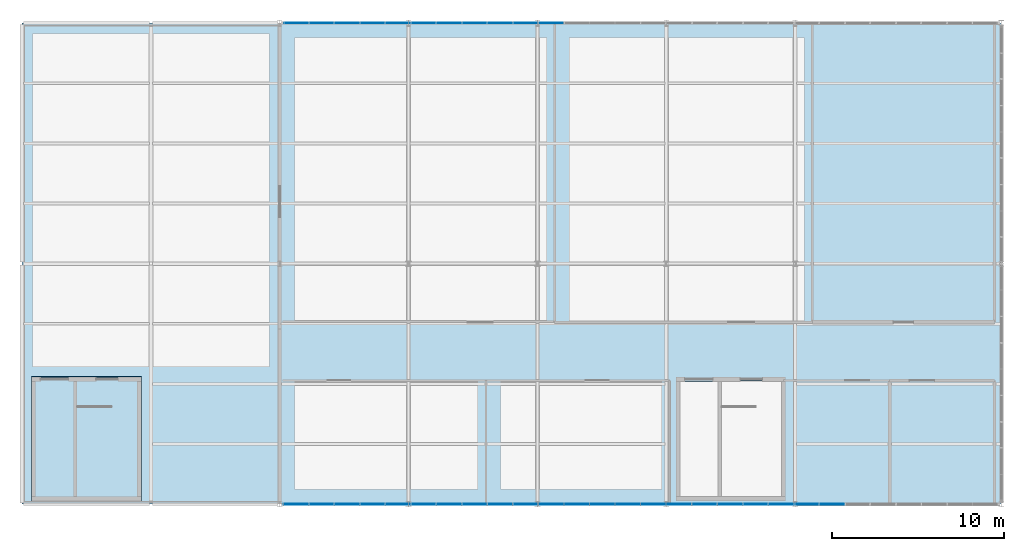
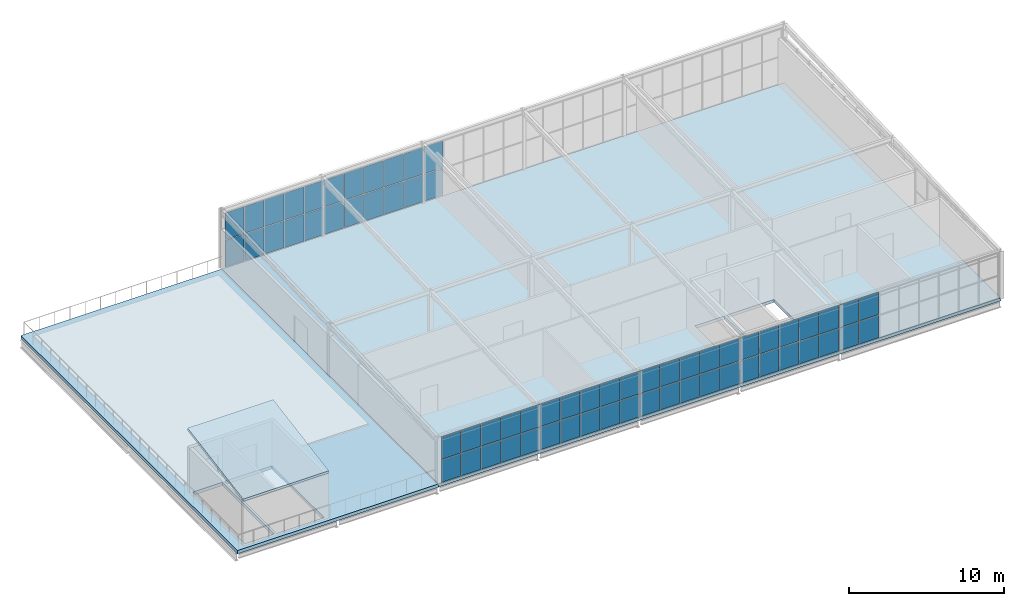
# One storey, part 23 of 27: 66 plates, 3 slabs, 2 elements without a shape of their own.
"""IFC4 building model written with IfcOpenShell, lengths in metres."""

from ifc_helpers import new_model, si_unit, direction, frame, origin, origin_2d, place, context, subcontext, project, spatial, polyline, rectangle, outline, extrude, material, layer, layer_set, type_object, element, aggregate, save


model = new_model("IFC4")

# Units and contexts
model_context = context("Model", 3, precision=1e-05, world=origin(), true_north=direction((0.0, 1.0)))
body_context = subcontext(model_context, "Body", "Model", "MODEL_VIEW")
ifc_project = project(units=[si_unit("LENGTHUNIT", "METRE"), si_unit("AREAUNIT", "SQUARE_METRE"), si_unit("VOLUMEUNIT", "CUBIC_METRE"), si_unit("PLANEANGLEUNIT", "RADIAN"), si_unit("MASSUNIT", "GRAM", prefix="KILO")], contexts=[model_context])

# Site, building, storey
site_placement = place(None, origin())
site = spatial("IfcSite", under=ifc_project, at=site_placement, CompositionType="ELEMENT")
building_placement = place(site_placement, origin())
building = spatial("IfcBuilding", under=site, at=building_placement, Name="Solvenia Promenade Tram Depot", CompositionType="ELEMENT")
storey_placement = place(building_placement, frame((0.0, 0.0, 13.5)))
storey = spatial("IfcBuildingStorey", under=building, at=storey_placement, Name="L03", CompositionType="ELEMENT", Elevation=13.5)

# Curtain wall, plates
ifc_material_1 = material(Name="Anodized aluminium AW-6063 T6", Category="aluminium")
ifc_layer_1 = layer(ifc_material_1, 0.199951171875, Name="Anodized aluminium AW-6063 T6", Category="aluminium")
ifc_layer_set_1 = layer_set([ifc_layer_1], Name="Anodized aluminium AW-6063 T6")
curtain_wall_type = type_object("IfcCurtainWallType", Name="CW-OCC-1500", PredefinedType="NOTDEFINED", material=ifc_layer_set_1)
curtain_wall_1_placement = place(storey_placement, origin())
curtain_wall_1 = element("IfcCurtainWall", 1, at=curtain_wall_1_placement, inside=storey, type_object=curtain_wall_type, Name="Curtain Wall CW-L03-V2N", PredefinedType="NOTDEFINED")
ifc_material_2 = material(Name="Double low-e argon insulated glass", Category="glass")
ifc_layer_2 = layer(ifc_material_2, 0.031982421875, Name="Double low-e argon insulated glass", Category="glass")
ifc_layer_set_2 = layer_set([ifc_layer_2], Name="Double low-e argon insulated glass")
plate_type_1 = type_object("IfcPlateType", Name="CWP-Panel-2", PredefinedType="CURTAIN_PANEL", material=ifc_layer_set_2)
plate_1_placement = place(storey_placement, frame((120.95654296875, 66.0, 0.05517578125), z_axis=(0.0, 0.0, 1.0), x_axis=(1.0, 0.0, 0.0)))
plate_1 = element("IfcPlate", 2, at=plate_1_placement, type_object=plate_type_1, Name="CW-8 panel 1.1", PredefinedType="CURTAIN_PANEL", context=body_context, shape_type="SweptSolid", body=[
    extrude(rectangle(XDim=1.4033203125, YDim=0.031982421875, at=origin_2d()), origin(), (0.0, 0.0, 1.0), 2.117431640625),
])
plate_2_placement = place(storey_placement, frame((120.95654296875, 66.0, 2.2275390625), z_axis=(0.0, 0.0, 1.0), x_axis=(1.0, 0.0, 0.0)))
plate_2 = element("IfcPlate", 3, at=plate_2_placement, type_object=plate_type_1, Name="CW-8 panel 1.2", PredefinedType="CURTAIN_PANEL", context=body_context, shape_type="SweptSolid", body=[
    extrude(rectangle(XDim=1.4033203125, YDim=0.031982421875, at=origin_2d()), origin(), (0.0, 0.0, 1.0), 2.117431640625),
])
plate_3_placement = place(storey_placement, frame((122.428466796875, 66.0, 0.05517578125), z_axis=(0.0, 0.0, 1.0), x_axis=(1.0, 0.0, 0.0)))
plate_3 = element("IfcPlate", 4, at=plate_3_placement, type_object=plate_type_1, Name="CW-8 panel 2.1", PredefinedType="CURTAIN_PANEL", context=body_context, shape_type="SweptSolid", body=[
    extrude(rectangle(XDim=1.4306640625, YDim=0.031982421875, at=origin_2d()), origin(), (0.0, 0.0, 1.0), 2.117431640625),
])
plate_4_placement = place(storey_placement, frame((122.428466796875, 66.0, 2.2275390625), z_axis=(0.0, 0.0, 1.0), x_axis=(1.0, 0.0, 0.0)))
plate_4 = element("IfcPlate", 5, at=plate_4_placement, type_object=plate_type_1, Name="CW-8 panel 2.2", PredefinedType="CURTAIN_PANEL", context=body_context, shape_type="SweptSolid", body=[
    extrude(rectangle(XDim=1.4306640625, YDim=0.031982421875, at=origin_2d()), origin(), (0.0, 0.0, 1.0), 2.117431640625),
])
plate_5_placement = place(storey_placement, frame((123.914306640625, 66.0, 0.05517578125), z_axis=(0.0, 0.0, 1.0), x_axis=(1.0, 0.0, 0.0)))
plate_5 = element("IfcPlate", 6, at=plate_5_placement, type_object=plate_type_1, Name="CW-8 panel 3.1", PredefinedType="CURTAIN_PANEL", context=body_context, shape_type="SweptSolid", body=[
    extrude(rectangle(XDim=1.4306640625, YDim=0.031982421875, at=origin_2d()), origin(), (0.0, 0.0, 1.0), 2.117431640625),
])
plate_6_placement = place(storey_placement, frame((123.914306640625, 66.0, 2.2275390625), z_axis=(0.0, 0.0, 1.0), x_axis=(1.0, 0.0, 0.0)))
plate_6 = element("IfcPlate", 7, at=plate_6_placement, type_object=plate_type_1, Name="CW-8 panel 3.2", PredefinedType="CURTAIN_PANEL", context=body_context, shape_type="SweptSolid", body=[
    extrude(rectangle(XDim=1.4306640625, YDim=0.031982421875, at=origin_2d()), origin(), (0.0, 0.0, 1.0), 2.117431640625),
])
plate_7_placement = place(storey_placement, frame((125.39990234375, 66.0, 0.05517578125), z_axis=(0.0, 0.0, 1.0), x_axis=(1.0, 0.0, 0.0)))
plate_7 = element("IfcPlate", 8, at=plate_7_placement, type_object=plate_type_1, Name="CW-8 panel 4.1", PredefinedType="CURTAIN_PANEL", context=body_context, shape_type="SweptSolid", body=[
    extrude(rectangle(XDim=1.4306640625, YDim=0.031982421875, at=origin_2d()), origin(), (0.0, 0.0, 1.0), 2.117431640625),
])
plate_8_placement = place(storey_placement, frame((125.39990234375, 66.0, 2.2275390625), z_axis=(0.0, 0.0, 1.0), x_axis=(1.0, 0.0, 0.0)))
plate_8 = element("IfcPlate", 9, at=plate_8_placement, type_object=plate_type_1, Name="CW-8 panel 4.2", PredefinedType="CURTAIN_PANEL", context=body_context, shape_type="SweptSolid", body=[
    extrude(rectangle(XDim=1.4306640625, YDim=0.031982421875, at=origin_2d()), origin(), (0.0, 0.0, 1.0), 2.117431640625),
])
plate_9_placement = place(storey_placement, frame((126.8857421875, 66.0, 0.05517578125), z_axis=(0.0, 0.0, 1.0), x_axis=(1.0, 0.0, 0.0)))
plate_9 = element("IfcPlate", 10, at=plate_9_placement, type_object=plate_type_1, Name="CW-8 panel 5.1", PredefinedType="CURTAIN_PANEL", context=body_context, shape_type="SweptSolid", body=[
    extrude(rectangle(XDim=1.4306640625, YDim=0.031982421875, at=origin_2d()), origin(), (0.0, 0.0, 1.0), 2.117431640625),
])
plate_10_placement = place(storey_placement, frame((126.8857421875, 66.0, 2.2275390625), z_axis=(0.0, 0.0, 1.0), x_axis=(1.0, 0.0, 0.0)))
plate_10 = element("IfcPlate", 11, at=plate_10_placement, type_object=plate_type_1, Name="CW-8 panel 5.2", PredefinedType="CURTAIN_PANEL", context=body_context, shape_type="SweptSolid", body=[
    extrude(rectangle(XDim=1.4306640625, YDim=0.031982421875, at=origin_2d()), origin(), (0.0, 0.0, 1.0), 2.117431640625),
])
plate_11_placement = place(storey_placement, frame((128.371337890625, 66.0, 0.05517578125), z_axis=(0.0, 0.0, 1.0), x_axis=(1.0, 0.0, 0.0)))
plate_11 = element("IfcPlate", 12, at=plate_11_placement, type_object=plate_type_1, Name="CW-8 panel 6.1", PredefinedType="CURTAIN_PANEL", context=body_context, shape_type="SweptSolid", body=[
    extrude(rectangle(XDim=1.4306640625, YDim=0.031982421875, at=origin_2d()), origin(), (0.0, 0.0, 1.0), 2.117431640625),
])
plate_12_placement = place(storey_placement, frame((128.371337890625, 66.0, 2.2275390625), z_axis=(0.0, 0.0, 1.0), x_axis=(1.0, 0.0, 0.0)))
plate_12 = element("IfcPlate", 13, at=plate_12_placement, type_object=plate_type_1, Name="CW-8 panel 6.2", PredefinedType="CURTAIN_PANEL", context=body_context, shape_type="SweptSolid", body=[
    extrude(rectangle(XDim=1.4306640625, YDim=0.031982421875, at=origin_2d()), origin(), (0.0, 0.0, 1.0), 2.117431640625),
])
plate_13_placement = place(storey_placement, frame((129.857177734375, 66.0, 0.05517578125), z_axis=(0.0, 0.0, 1.0), x_axis=(1.0, 0.0, 0.0)))
plate_13 = element("IfcPlate", 14, at=plate_13_placement, type_object=plate_type_1, Name="CW-8 panel 7.1", PredefinedType="CURTAIN_PANEL", context=body_context, shape_type="SweptSolid", body=[
    extrude(rectangle(XDim=1.4306640625, YDim=0.031982421875, at=origin_2d()), origin(), (0.0, 0.0, 1.0), 2.117431640625),
])
plate_14_placement = place(storey_placement, frame((129.857177734375, 66.0, 2.2275390625), z_axis=(0.0, 0.0, 1.0), x_axis=(1.0, 0.0, 0.0)))
plate_14 = element("IfcPlate", 15, at=plate_14_placement, type_object=plate_type_1, Name="CW-8 panel 7.2", PredefinedType="CURTAIN_PANEL", context=body_context, shape_type="SweptSolid", body=[
    extrude(rectangle(XDim=1.4306640625, YDim=0.031982421875, at=origin_2d()), origin(), (0.0, 0.0, 1.0), 2.117431640625),
])
plate_15_placement = place(storey_placement, frame((131.3427734375, 66.0, 0.05517578125), z_axis=(0.0, 0.0, 1.0), x_axis=(1.0, 0.0, 0.0)))
plate_15 = element("IfcPlate", 16, at=plate_15_placement, type_object=plate_type_1, Name="CW-8 panel 8.1", PredefinedType="CURTAIN_PANEL", context=body_context, shape_type="SweptSolid", body=[
    extrude(rectangle(XDim=1.4306640625, YDim=0.031982421875, at=origin_2d()), origin(), (0.0, 0.0, 1.0), 2.117431640625),
])
plate_16_placement = place(storey_placement, frame((131.3427734375, 66.0, 2.2275390625), z_axis=(0.0, 0.0, 1.0), x_axis=(1.0, 0.0, 0.0)))
plate_16 = element("IfcPlate", 17, at=plate_16_placement, type_object=plate_type_1, Name="CW-8 panel 8.2", PredefinedType="CURTAIN_PANEL", context=body_context, shape_type="SweptSolid", body=[
    extrude(rectangle(XDim=1.4306640625, YDim=0.031982421875, at=origin_2d()), origin(), (0.0, 0.0, 1.0), 2.117431640625),
])
plate_17_placement = place(storey_placement, frame((132.82861328125, 66.0, 0.05517578125), z_axis=(0.0, 0.0, 1.0), x_axis=(1.0, 0.0, 0.0)))
plate_17 = element("IfcPlate", 18, at=plate_17_placement, type_object=plate_type_1, Name="CW-8 panel 9.1", PredefinedType="CURTAIN_PANEL", context=body_context, shape_type="SweptSolid", body=[
    extrude(rectangle(XDim=1.4306640625, YDim=0.031982421875, at=origin_2d()), origin(), (0.0, 0.0, 1.0), 2.117431640625),
])
plate_18_placement = place(storey_placement, frame((132.82861328125, 66.0, 2.2275390625), z_axis=(0.0, 0.0, 1.0), x_axis=(1.0, 0.0, 0.0)))
plate_18 = element("IfcPlate", 19, at=plate_18_placement, type_object=plate_type_1, Name="CW-8 panel 9.2", PredefinedType="CURTAIN_PANEL", context=body_context, shape_type="SweptSolid", body=[
    extrude(rectangle(XDim=1.4306640625, YDim=0.031982421875, at=origin_2d()), origin(), (0.0, 0.0, 1.0), 2.117431640625),
])
plate_19_placement = place(storey_placement, frame((134.314208984375, 66.0, 0.05517578125), z_axis=(0.0, 0.0, 1.0), x_axis=(1.0, 0.0, 0.0)))
plate_19 = element("IfcPlate", 20, at=plate_19_placement, type_object=plate_type_1, Name="CW-8 panel 10.1", PredefinedType="CURTAIN_PANEL", context=body_context, shape_type="SweptSolid", body=[
    extrude(rectangle(XDim=1.4306640625, YDim=0.031982421875, at=origin_2d()), origin(), (0.0, 0.0, 1.0), 2.117431640625),
])
plate_20_placement = place(storey_placement, frame((134.314208984375, 66.0, 2.2275390625), z_axis=(0.0, 0.0, 1.0), x_axis=(1.0, 0.0, 0.0)))
plate_20 = element("IfcPlate", 21, at=plate_20_placement, type_object=plate_type_1, Name="CW-8 panel 10.2", PredefinedType="CURTAIN_PANEL", context=body_context, shape_type="SweptSolid", body=[
    extrude(rectangle(XDim=1.4306640625, YDim=0.031982421875, at=origin_2d()), origin(), (0.0, 0.0, 1.0), 2.117431640625),
])
plate_21_placement = place(storey_placement, frame((135.800048828125, 66.0, 0.05517578125), z_axis=(0.0, 0.0, 1.0), x_axis=(1.0, 0.0, 0.0)))
plate_21 = element("IfcPlate", 22, at=plate_21_placement, type_object=plate_type_1, Name="CW-8 panel 11.1", PredefinedType="CURTAIN_PANEL", context=body_context, shape_type="SweptSolid", body=[
    extrude(rectangle(XDim=1.4306640625, YDim=0.031982421875, at=origin_2d()), origin(), (0.0, 0.0, 1.0), 2.117431640625),
])
plate_22_placement = place(storey_placement, frame((135.800048828125, 66.0, 2.2275390625), z_axis=(0.0, 0.0, 1.0), x_axis=(1.0, 0.0, 0.0)))
plate_22 = element("IfcPlate", 23, at=plate_22_placement, type_object=plate_type_1, Name="CW-8 panel 11.2", PredefinedType="CURTAIN_PANEL", context=body_context, shape_type="SweptSolid", body=[
    extrude(rectangle(XDim=1.4306640625, YDim=0.031982421875, at=origin_2d()), origin(), (0.0, 0.0, 1.0), 2.117431640625),
])
aggregate(curtain_wall_1, [plate_1, plate_2, plate_3, plate_4, plate_5, plate_6, plate_7, plate_8, plate_9, plate_10, plate_11, plate_12, plate_13, plate_14, plate_15, plate_16, plate_17, plate_18, plate_19, plate_20, plate_21, plate_22])

curtain_wall_2_placement = place(storey_placement, origin())
curtain_wall_2 = element("IfcCurtainWall", 24, at=curtain_wall_2_placement, inside=storey, type_object=curtain_wall_type, Name="Curtain Wall CW-L03-V2S", PredefinedType="NOTDEFINED")
ifc_layer_3 = layer(ifc_material_2, 0.035888671875, Name="Double low-e argon insulated glass", Category="glass")
ifc_layer_set_3 = layer_set([ifc_layer_3], Name="Double low-e argon insulated glass")
plate_type_2 = type_object("IfcPlateType", Name="CWP-Panel-3", PredefinedType="CURTAIN_PANEL", material=ifc_layer_set_3)
plate_23_placement = place(storey_placement, frame((120.954833984375, 38.0, 0.05810546875), z_axis=(0.0, 0.0, 1.0), x_axis=(1.0, 0.0, 0.0)))
plate_23 = element("IfcPlate", 25, at=plate_23_placement, type_object=plate_type_2, Name="CW-8 panel 1.1", PredefinedType="CURTAIN_PANEL", context=body_context, shape_type="SweptSolid", body=[
    extrude(rectangle(XDim=1.413818359375, YDim=0.035888671875, at=origin_2d()), origin(), (0.0, 0.0, 1.0), 1.762939453125),
])
plate_24_placement = place(storey_placement, frame((120.954833984375, 38.0, 1.87890625), z_axis=(0.0, 0.0, 1.0), x_axis=(1.0, 0.0, 0.0)))
plate_24 = element("IfcPlate", 26, at=plate_24_placement, type_object=plate_type_2, Name="CW-8 panel 1.2", PredefinedType="CURTAIN_PANEL", context=body_context, shape_type="SweptSolid", body=[
    extrude(rectangle(XDim=1.413818359375, YDim=0.035888671875, at=origin_2d()), origin(), (0.0, 0.0, 1.0), 1.762939453125),
])
plate_25_placement = place(storey_placement, frame((122.428466796875, 38.0, 0.05810546875), z_axis=(0.0, 0.0, 1.0), x_axis=(1.0, 0.0, 0.0)))
plate_25 = element("IfcPlate", 27, at=plate_25_placement, type_object=plate_type_2, Name="CW-8 panel 2.1", PredefinedType="CURTAIN_PANEL", context=body_context, shape_type="SweptSolid", body=[
    extrude(rectangle(XDim=1.437744140625, YDim=0.035888671875, at=origin_2d()), origin(), (0.0, 0.0, 1.0), 1.762939453125),
])
plate_26_placement = place(storey_placement, frame((122.428466796875, 38.0, 1.87890625), z_axis=(0.0, 0.0, 1.0), x_axis=(1.0, 0.0, 0.0)))
plate_26 = element("IfcPlate", 28, at=plate_26_placement, type_object=plate_type_2, Name="CW-8 panel 2.2", PredefinedType="CURTAIN_PANEL", context=body_context, shape_type="SweptSolid", body=[
    extrude(rectangle(XDim=1.437744140625, YDim=0.035888671875, at=origin_2d()), origin(), (0.0, 0.0, 1.0), 1.762939453125),
])
plate_27_placement = place(storey_placement, frame((123.914306640625, 38.0, 0.05810546875), z_axis=(0.0, 0.0, 1.0), x_axis=(1.0, 0.0, 0.0)))
plate_27 = element("IfcPlate", 29, at=plate_27_placement, type_object=plate_type_2, Name="CW-8 panel 3.1", PredefinedType="CURTAIN_PANEL", context=body_context, shape_type="SweptSolid", body=[
    extrude(rectangle(XDim=1.437744140625, YDim=0.035888671875, at=origin_2d()), origin(), (0.0, 0.0, 1.0), 1.762939453125),
])
plate_28_placement = place(storey_placement, frame((123.914306640625, 38.0, 1.87890625), z_axis=(0.0, 0.0, 1.0), x_axis=(1.0, 0.0, 0.0)))
plate_28 = element("IfcPlate", 30, at=plate_28_placement, type_object=plate_type_2, Name="CW-8 panel 3.2", PredefinedType="CURTAIN_PANEL", context=body_context, shape_type="SweptSolid", body=[
    extrude(rectangle(XDim=1.437744140625, YDim=0.035888671875, at=origin_2d()), origin(), (0.0, 0.0, 1.0), 1.762939453125),
])
plate_29_placement = place(storey_placement, frame((125.39990234375, 38.0, 0.05810546875), z_axis=(0.0, 0.0, 1.0), x_axis=(1.0, 0.0, 0.0)))
plate_29 = element("IfcPlate", 31, at=plate_29_placement, type_object=plate_type_2, Name="CW-8 panel 4.1", PredefinedType="CURTAIN_PANEL", context=body_context, shape_type="SweptSolid", body=[
    extrude(rectangle(XDim=1.437744140625, YDim=0.035888671875, at=origin_2d()), origin(), (0.0, 0.0, 1.0), 1.762939453125),
])
plate_30_placement = place(storey_placement, frame((125.39990234375, 38.0, 1.87890625), z_axis=(0.0, 0.0, 1.0), x_axis=(1.0, 0.0, 0.0)))
plate_30 = element("IfcPlate", 32, at=plate_30_placement, type_object=plate_type_2, Name="CW-8 panel 4.2", PredefinedType="CURTAIN_PANEL", context=body_context, shape_type="SweptSolid", body=[
    extrude(rectangle(XDim=1.437744140625, YDim=0.035888671875, at=origin_2d()), origin(), (0.0, 0.0, 1.0), 1.762939453125),
])
plate_31_placement = place(storey_placement, frame((126.8857421875, 38.0, 0.05810546875), z_axis=(0.0, 0.0, 1.0), x_axis=(1.0, 0.0, 0.0)))
plate_31 = element("IfcPlate", 33, at=plate_31_placement, type_object=plate_type_2, Name="CW-8 panel 5.1", PredefinedType="CURTAIN_PANEL", context=body_context, shape_type="SweptSolid", body=[
    extrude(rectangle(XDim=1.437744140625, YDim=0.035888671875, at=origin_2d()), origin(), (0.0, 0.0, 1.0), 1.762939453125),
])
plate_32_placement = place(storey_placement, frame((126.8857421875, 38.0, 1.87890625), z_axis=(0.0, 0.0, 1.0), x_axis=(1.0, 0.0, 0.0)))
plate_32 = element("IfcPlate", 34, at=plate_32_placement, type_object=plate_type_2, Name="CW-8 panel 5.2", PredefinedType="CURTAIN_PANEL", context=body_context, shape_type="SweptSolid", body=[
    extrude(rectangle(XDim=1.437744140625, YDim=0.035888671875, at=origin_2d()), origin(), (0.0, 0.0, 1.0), 1.762939453125),
])
plate_33_placement = place(storey_placement, frame((128.371337890625, 38.0, 0.05810546875), z_axis=(0.0, 0.0, 1.0), x_axis=(1.0, 0.0, 0.0)))
plate_33 = element("IfcPlate", 35, at=plate_33_placement, type_object=plate_type_2, Name="CW-8 panel 6.1", PredefinedType="CURTAIN_PANEL", context=body_context, shape_type="SweptSolid", body=[
    extrude(rectangle(XDim=1.437744140625, YDim=0.035888671875, at=origin_2d()), origin(), (0.0, 0.0, 1.0), 1.762939453125),
])
plate_34_placement = place(storey_placement, frame((128.371337890625, 38.0, 1.87890625), z_axis=(0.0, 0.0, 1.0), x_axis=(1.0, 0.0, 0.0)))
plate_34 = element("IfcPlate", 36, at=plate_34_placement, type_object=plate_type_2, Name="CW-8 panel 6.2", PredefinedType="CURTAIN_PANEL", context=body_context, shape_type="SweptSolid", body=[
    extrude(rectangle(XDim=1.437744140625, YDim=0.035888671875, at=origin_2d()), origin(), (0.0, 0.0, 1.0), 1.762939453125),
])
plate_35_placement = place(storey_placement, frame((129.857177734375, 38.0, 0.05810546875), z_axis=(0.0, 0.0, 1.0), x_axis=(1.0, 0.0, 0.0)))
plate_35 = element("IfcPlate", 37, at=plate_35_placement, type_object=plate_type_2, Name="CW-8 panel 7.1", PredefinedType="CURTAIN_PANEL", context=body_context, shape_type="SweptSolid", body=[
    extrude(rectangle(XDim=1.437744140625, YDim=0.035888671875, at=origin_2d()), origin(), (0.0, 0.0, 1.0), 1.762939453125),
])
plate_36_placement = place(storey_placement, frame((129.857177734375, 38.0, 1.87890625), z_axis=(0.0, 0.0, 1.0), x_axis=(1.0, 0.0, 0.0)))
plate_36 = element("IfcPlate", 38, at=plate_36_placement, type_object=plate_type_2, Name="CW-8 panel 7.2", PredefinedType="CURTAIN_PANEL", context=body_context, shape_type="SweptSolid", body=[
    extrude(rectangle(XDim=1.437744140625, YDim=0.035888671875, at=origin_2d()), origin(), (0.0, 0.0, 1.0), 1.762939453125),
])
plate_37_placement = place(storey_placement, frame((131.3427734375, 38.0, 0.05810546875), z_axis=(0.0, 0.0, 1.0), x_axis=(1.0, 0.0, 0.0)))
plate_37 = element("IfcPlate", 39, at=plate_37_placement, type_object=plate_type_2, Name="CW-8 panel 8.1", PredefinedType="CURTAIN_PANEL", context=body_context, shape_type="SweptSolid", body=[
    extrude(rectangle(XDim=1.437744140625, YDim=0.035888671875, at=origin_2d()), origin(), (0.0, 0.0, 1.0), 1.762939453125),
])
plate_38_placement = place(storey_placement, frame((131.3427734375, 38.0, 1.87890625), z_axis=(0.0, 0.0, 1.0), x_axis=(1.0, 0.0, 0.0)))
plate_38 = element("IfcPlate", 40, at=plate_38_placement, type_object=plate_type_2, Name="CW-8 panel 8.2", PredefinedType="CURTAIN_PANEL", context=body_context, shape_type="SweptSolid", body=[
    extrude(rectangle(XDim=1.437744140625, YDim=0.035888671875, at=origin_2d()), origin(), (0.0, 0.0, 1.0), 1.762939453125),
])
plate_39_placement = place(storey_placement, frame((132.82861328125, 38.0, 0.05810546875), z_axis=(0.0, 0.0, 1.0), x_axis=(1.0, 0.0, 0.0)))
plate_39 = element("IfcPlate", 41, at=plate_39_placement, type_object=plate_type_2, Name="CW-8 panel 9.1", PredefinedType="CURTAIN_PANEL", context=body_context, shape_type="SweptSolid", body=[
    extrude(rectangle(XDim=1.437744140625, YDim=0.035888671875, at=origin_2d()), origin(), (0.0, 0.0, 1.0), 1.762939453125),
])
plate_40_placement = place(storey_placement, frame((132.82861328125, 38.0, 1.87890625), z_axis=(0.0, 0.0, 1.0), x_axis=(1.0, 0.0, 0.0)))
plate_40 = element("IfcPlate", 42, at=plate_40_placement, type_object=plate_type_2, Name="CW-8 panel 9.2", PredefinedType="CURTAIN_PANEL", context=body_context, shape_type="SweptSolid", body=[
    extrude(rectangle(XDim=1.437744140625, YDim=0.035888671875, at=origin_2d()), origin(), (0.0, 0.0, 1.0), 1.762939453125),
])
plate_41_placement = place(storey_placement, frame((134.314208984375, 38.0, 0.05810546875), z_axis=(0.0, 0.0, 1.0), x_axis=(1.0, 0.0, 0.0)))
plate_41 = element("IfcPlate", 43, at=plate_41_placement, type_object=plate_type_2, Name="CW-8 panel 10.1", PredefinedType="CURTAIN_PANEL", context=body_context, shape_type="SweptSolid", body=[
    extrude(rectangle(XDim=1.437744140625, YDim=0.035888671875, at=origin_2d()), origin(), (0.0, 0.0, 1.0), 1.762939453125),
])
plate_42_placement = place(storey_placement, frame((134.314208984375, 38.0, 1.87890625), z_axis=(0.0, 0.0, 1.0), x_axis=(1.0, 0.0, 0.0)))
plate_42 = element("IfcPlate", 44, at=plate_42_placement, type_object=plate_type_2, Name="CW-8 panel 10.2", PredefinedType="CURTAIN_PANEL", context=body_context, shape_type="SweptSolid", body=[
    extrude(rectangle(XDim=1.437744140625, YDim=0.035888671875, at=origin_2d()), origin(), (0.0, 0.0, 1.0), 1.762939453125),
])
plate_43_placement = place(storey_placement, frame((135.800048828125, 38.0, 0.05810546875), z_axis=(0.0, 0.0, 1.0), x_axis=(1.0, 0.0, 0.0)))
plate_43 = element("IfcPlate", 45, at=plate_43_placement, type_object=plate_type_2, Name="CW-8 panel 11.1", PredefinedType="CURTAIN_PANEL", context=body_context, shape_type="SweptSolid", body=[
    extrude(rectangle(XDim=1.437744140625, YDim=0.035888671875, at=origin_2d()), origin(), (0.0, 0.0, 1.0), 1.762939453125),
])
plate_44_placement = place(storey_placement, frame((135.800048828125, 38.0, 1.87890625), z_axis=(0.0, 0.0, 1.0), x_axis=(1.0, 0.0, 0.0)))
plate_44 = element("IfcPlate", 46, at=plate_44_placement, type_object=plate_type_2, Name="CW-8 panel 11.2", PredefinedType="CURTAIN_PANEL", context=body_context, shape_type="SweptSolid", body=[
    extrude(rectangle(XDim=1.437744140625, YDim=0.035888671875, at=origin_2d()), origin(), (0.0, 0.0, 1.0), 1.762939453125),
])
plate_45_placement = place(storey_placement, frame((137.28564453125, 38.0, 0.05810546875), z_axis=(0.0, 0.0, 1.0), x_axis=(1.0, 0.0, 0.0)))
plate_45 = element("IfcPlate", 47, at=plate_45_placement, type_object=plate_type_2, Name="CW-8 panel 12.1", PredefinedType="CURTAIN_PANEL", context=body_context, shape_type="SweptSolid", body=[
    extrude(rectangle(XDim=1.437744140625, YDim=0.035888671875, at=origin_2d()), origin(), (0.0, 0.0, 1.0), 1.762939453125),
])
plate_46_placement = place(storey_placement, frame((137.28564453125, 38.0, 1.87890625), z_axis=(0.0, 0.0, 1.0), x_axis=(1.0, 0.0, 0.0)))
plate_46 = element("IfcPlate", 48, at=plate_46_placement, type_object=plate_type_2, Name="CW-8 panel 12.2", PredefinedType="CURTAIN_PANEL", context=body_context, shape_type="SweptSolid", body=[
    extrude(rectangle(XDim=1.437744140625, YDim=0.035888671875, at=origin_2d()), origin(), (0.0, 0.0, 1.0), 1.762939453125),
])
plate_47_placement = place(storey_placement, frame((138.771484375, 38.0, 0.05810546875), z_axis=(0.0, 0.0, 1.0), x_axis=(1.0, 0.0, 0.0)))
plate_47 = element("IfcPlate", 49, at=plate_47_placement, type_object=plate_type_2, Name="CW-8 panel 13.1", PredefinedType="CURTAIN_PANEL", context=body_context, shape_type="SweptSolid", body=[
    extrude(rectangle(XDim=1.437744140625, YDim=0.035888671875, at=origin_2d()), origin(), (0.0, 0.0, 1.0), 1.762939453125),
])
plate_48_placement = place(storey_placement, frame((138.771484375, 38.0, 1.87890625), z_axis=(0.0, 0.0, 1.0), x_axis=(1.0, 0.0, 0.0)))
plate_48 = element("IfcPlate", 50, at=plate_48_placement, type_object=plate_type_2, Name="CW-8 panel 13.2", PredefinedType="CURTAIN_PANEL", context=body_context, shape_type="SweptSolid", body=[
    extrude(rectangle(XDim=1.437744140625, YDim=0.035888671875, at=origin_2d()), origin(), (0.0, 0.0, 1.0), 1.762939453125),
])
plate_49_placement = place(storey_placement, frame((140.257080078125, 38.0, 0.05810546875), z_axis=(0.0, 0.0, 1.0), x_axis=(1.0, 0.0, 0.0)))
plate_49 = element("IfcPlate", 51, at=plate_49_placement, type_object=plate_type_2, Name="CW-8 panel 14.1", PredefinedType="CURTAIN_PANEL", context=body_context, shape_type="SweptSolid", body=[
    extrude(rectangle(XDim=1.437744140625, YDim=0.035888671875, at=origin_2d()), origin(), (0.0, 0.0, 1.0), 1.762939453125),
])
plate_50_placement = place(storey_placement, frame((140.257080078125, 38.0, 1.87890625), z_axis=(0.0, 0.0, 1.0), x_axis=(1.0, 0.0, 0.0)))
plate_50 = element("IfcPlate", 52, at=plate_50_placement, type_object=plate_type_2, Name="CW-8 panel 14.2", PredefinedType="CURTAIN_PANEL", context=body_context, shape_type="SweptSolid", body=[
    extrude(rectangle(XDim=1.437744140625, YDim=0.035888671875, at=origin_2d()), origin(), (0.0, 0.0, 1.0), 1.762939453125),
])
plate_51_placement = place(storey_placement, frame((141.742919921875, 38.0, 0.05810546875), z_axis=(0.0, 0.0, 1.0), x_axis=(1.0, 0.0, 0.0)))
plate_51 = element("IfcPlate", 53, at=plate_51_placement, type_object=plate_type_2, Name="CW-8 panel 15.1", PredefinedType="CURTAIN_PANEL", context=body_context, shape_type="SweptSolid", body=[
    extrude(rectangle(XDim=1.437744140625, YDim=0.035888671875, at=origin_2d()), origin(), (0.0, 0.0, 1.0), 1.762939453125),
])
plate_52_placement = place(storey_placement, frame((141.742919921875, 38.0, 1.87890625), z_axis=(0.0, 0.0, 1.0), x_axis=(1.0, 0.0, 0.0)))
plate_52 = element("IfcPlate", 54, at=plate_52_placement, type_object=plate_type_2, Name="CW-8 panel 15.2", PredefinedType="CURTAIN_PANEL", context=body_context, shape_type="SweptSolid", body=[
    extrude(rectangle(XDim=1.437744140625, YDim=0.035888671875, at=origin_2d()), origin(), (0.0, 0.0, 1.0), 1.762939453125),
])
plate_53_placement = place(storey_placement, frame((143.228515625, 38.0, 0.05810546875), z_axis=(0.0, 0.0, 1.0), x_axis=(1.0, 0.0, 0.0)))
plate_53 = element("IfcPlate", 55, at=plate_53_placement, type_object=plate_type_2, Name="CW-8 panel 16.1", PredefinedType="CURTAIN_PANEL", context=body_context, shape_type="SweptSolid", body=[
    extrude(rectangle(XDim=1.437744140625, YDim=0.035888671875, at=origin_2d()), origin(), (0.0, 0.0, 1.0), 1.762939453125),
])
plate_54_placement = place(storey_placement, frame((143.228515625, 38.0, 1.87890625), z_axis=(0.0, 0.0, 1.0), x_axis=(1.0, 0.0, 0.0)))
plate_54 = element("IfcPlate", 56, at=plate_54_placement, type_object=plate_type_2, Name="CW-8 panel 16.2", PredefinedType="CURTAIN_PANEL", context=body_context, shape_type="SweptSolid", body=[
    extrude(rectangle(XDim=1.437744140625, YDim=0.035888671875, at=origin_2d()), origin(), (0.0, 0.0, 1.0), 1.762939453125),
])
plate_55_placement = place(storey_placement, frame((144.71435546875, 38.0, 0.05810546875), z_axis=(0.0, 0.0, 1.0), x_axis=(1.0, 0.0, 0.0)))
plate_55 = element("IfcPlate", 57, at=plate_55_placement, type_object=plate_type_2, Name="CW-8 panel 17.1", PredefinedType="CURTAIN_PANEL", context=body_context, shape_type="SweptSolid", body=[
    extrude(rectangle(XDim=1.437744140625, YDim=0.035888671875, at=origin_2d()), origin(), (0.0, 0.0, 1.0), 1.762939453125),
])
plate_56_placement = place(storey_placement, frame((144.71435546875, 38.0, 1.87890625), z_axis=(0.0, 0.0, 1.0), x_axis=(1.0, 0.0, 0.0)))
plate_56 = element("IfcPlate", 58, at=plate_56_placement, type_object=plate_type_2, Name="CW-8 panel 17.2", PredefinedType="CURTAIN_PANEL", context=body_context, shape_type="SweptSolid", body=[
    extrude(rectangle(XDim=1.437744140625, YDim=0.035888671875, at=origin_2d()), origin(), (0.0, 0.0, 1.0), 1.762939453125),
])
plate_57_placement = place(storey_placement, frame((146.199951171875, 38.0, 0.05810546875), z_axis=(0.0, 0.0, 1.0), x_axis=(1.0, 0.0, 0.0)))
plate_57 = element("IfcPlate", 59, at=plate_57_placement, type_object=plate_type_2, Name="CW-8 panel 18.1", PredefinedType="CURTAIN_PANEL", context=body_context, shape_type="SweptSolid", body=[
    extrude(rectangle(XDim=1.437744140625, YDim=0.035888671875, at=origin_2d()), origin(), (0.0, 0.0, 1.0), 1.762939453125),
])
plate_58_placement = place(storey_placement, frame((146.199951171875, 38.0, 1.87890625), z_axis=(0.0, 0.0, 1.0), x_axis=(1.0, 0.0, 0.0)))
plate_58 = element("IfcPlate", 60, at=plate_58_placement, type_object=plate_type_2, Name="CW-8 panel 18.2", PredefinedType="CURTAIN_PANEL", context=body_context, shape_type="SweptSolid", body=[
    extrude(rectangle(XDim=1.437744140625, YDim=0.035888671875, at=origin_2d()), origin(), (0.0, 0.0, 1.0), 1.762939453125),
])
plate_59_placement = place(storey_placement, frame((147.685791015625, 38.0, 0.05810546875), z_axis=(0.0, 0.0, 1.0), x_axis=(1.0, 0.0, 0.0)))
plate_59 = element("IfcPlate", 61, at=plate_59_placement, type_object=plate_type_2, Name="CW-8 panel 19.1", PredefinedType="CURTAIN_PANEL", context=body_context, shape_type="SweptSolid", body=[
    extrude(rectangle(XDim=1.437744140625, YDim=0.035888671875, at=origin_2d()), origin(), (0.0, 0.0, 1.0), 1.762939453125),
])
plate_60_placement = place(storey_placement, frame((147.685791015625, 38.0, 1.87890625), z_axis=(0.0, 0.0, 1.0), x_axis=(1.0, 0.0, 0.0)))
plate_60 = element("IfcPlate", 62, at=plate_60_placement, type_object=plate_type_2, Name="CW-8 panel 19.2", PredefinedType="CURTAIN_PANEL", context=body_context, shape_type="SweptSolid", body=[
    extrude(rectangle(XDim=1.437744140625, YDim=0.035888671875, at=origin_2d()), origin(), (0.0, 0.0, 1.0), 1.762939453125),
])
plate_61_placement = place(storey_placement, frame((149.17138671875, 38.0, 0.05810546875), z_axis=(0.0, 0.0, 1.0), x_axis=(1.0, 0.0, 0.0)))
plate_61 = element("IfcPlate", 63, at=plate_61_placement, type_object=plate_type_2, Name="CW-8 panel 20.1", PredefinedType="CURTAIN_PANEL", context=body_context, shape_type="SweptSolid", body=[
    extrude(rectangle(XDim=1.437744140625, YDim=0.035888671875, at=origin_2d()), origin(), (0.0, 0.0, 1.0), 1.762939453125),
])
plate_62_placement = place(storey_placement, frame((149.17138671875, 38.0, 1.87890625), z_axis=(0.0, 0.0, 1.0), x_axis=(1.0, 0.0, 0.0)))
plate_62 = element("IfcPlate", 64, at=plate_62_placement, type_object=plate_type_2, Name="CW-8 panel 20.2", PredefinedType="CURTAIN_PANEL", context=body_context, shape_type="SweptSolid", body=[
    extrude(rectangle(XDim=1.437744140625, YDim=0.035888671875, at=origin_2d()), origin(), (0.0, 0.0, 1.0), 1.762939453125),
])
plate_63_placement = place(storey_placement, frame((150.6572265625, 38.0, 0.05810546875), z_axis=(0.0, 0.0, 1.0), x_axis=(1.0, 0.0, 0.0)))
plate_63 = element("IfcPlate", 65, at=plate_63_placement, type_object=plate_type_2, Name="CW-8 panel 21.1", PredefinedType="CURTAIN_PANEL", context=body_context, shape_type="SweptSolid", body=[
    extrude(rectangle(XDim=1.437744140625, YDim=0.035888671875, at=origin_2d()), origin(), (0.0, 0.0, 1.0), 1.762939453125),
])
plate_64_placement = place(storey_placement, frame((150.6572265625, 38.0, 1.87890625), z_axis=(0.0, 0.0, 1.0), x_axis=(1.0, 0.0, 0.0)))
plate_64 = element("IfcPlate", 66, at=plate_64_placement, type_object=plate_type_2, Name="CW-8 panel 21.2", PredefinedType="CURTAIN_PANEL", context=body_context, shape_type="SweptSolid", body=[
    extrude(rectangle(XDim=1.437744140625, YDim=0.035888671875, at=origin_2d()), origin(), (0.0, 0.0, 1.0), 1.762939453125),
])
plate_65_placement = place(storey_placement, frame((152.142822265625, 38.0, 0.05810546875), z_axis=(0.0, 0.0, 1.0), x_axis=(1.0, 0.0, 0.0)))
plate_65 = element("IfcPlate", 67, at=plate_65_placement, type_object=plate_type_2, Name="CW-8 panel 22.1", PredefinedType="CURTAIN_PANEL", context=body_context, shape_type="SweptSolid", body=[
    extrude(rectangle(XDim=1.437744140625, YDim=0.035888671875, at=origin_2d()), origin(), (0.0, 0.0, 1.0), 1.762939453125),
])
plate_66_placement = place(storey_placement, frame((152.142822265625, 38.0, 1.87890625), z_axis=(0.0, 0.0, 1.0), x_axis=(1.0, 0.0, 0.0)))
plate_66 = element("IfcPlate", 68, at=plate_66_placement, type_object=plate_type_2, Name="CW-8 panel 22.2", PredefinedType="CURTAIN_PANEL", context=body_context, shape_type="SweptSolid", body=[
    extrude(rectangle(XDim=1.437744140625, YDim=0.035888671875, at=origin_2d()), origin(), (0.0, 0.0, 1.0), 1.762939453125),
])
aggregate(curtain_wall_2, [plate_23, plate_24, plate_25, plate_26, plate_27, plate_28, plate_29, plate_30, plate_31, plate_32, plate_33, plate_34, plate_35, plate_36, plate_37, plate_38, plate_39, plate_40, plate_41, plate_42, plate_43, plate_44, plate_45, plate_46, plate_47, plate_48, plate_49, plate_50, plate_51, plate_52, plate_53, plate_54, plate_55, plate_56, plate_57, plate_58, plate_59, plate_60, plate_61, plate_62, plate_63, plate_64, plate_65, plate_66])

# Slabs
ifc_material_3 = material(Name="Concrete C28/35", Category="concrete")
ifc_layer_4 = layer(ifc_material_3, 0.2099609375, Name="Concrete C28/35", Category="concrete")
ifc_layer_set_4 = layer_set([ifc_layer_4], Name="Concrete C28/35")
slab_type_1 = type_object("IfcSlabType", Name="Slab-CoreCap-210", PredefinedType="ROOF", material=ifc_layer_set_4)
slab_1_placement = place(storey_placement, frame((105.550048828125, 38.199951171875, 3.7451171875), z_axis=(0.0, -0.171702060601, 0.985148923963), x_axis=(1.0, 0.0, 0.0)))
element("IfcSlab", 69, at=slab_1_placement, inside=storey, type_object=slab_type_1, Name="Core C5 Sloped Head-House Roof", PredefinedType="ROOF", context=body_context, shape_type="SweptSolid", body=[
    extrude(outline(polyline([(0.0, 0.0), (6.39990234375, 0.0), (6.39990234375, 7.308490114277509), (0.0, 7.308490114277509), (0.0, 0.0)])), origin(), (0.0, 0.0, -1.0), 0.2099609375),
])
ifc_layer_5 = layer(ifc_material_3, 0.239990234375, Name="Concrete C28/35", Category="concrete")
ifc_layer_set_5 = layer_set([ifc_layer_5], Name="Concrete C28/35")
slab_type_2 = type_object("IfcSlabType", Name="Slab-Floor-240", PredefinedType="FLOOR", material=ifc_layer_set_5)
slab_2_placement = place(storey_placement, frame((0.0, 0.0, -0.239990234375)))
element("IfcSlab", 70, at=slab_2_placement, inside=storey, type_object=slab_type_2, Name="L03 V2 Structural Slab", PredefinedType="FLOOR", context=body_context, shape_type="SweptSolid", body=[
    extrude(outline(polyline([(120.0, 38.0), (162.0, 38.0), (162.0, 66.0), (120.0, 66.0), (120.0, 38.0)]), holes=[polyline([(143.300048828125, 45.14990234375), (145.5, 45.14990234375), (145.5, 38.449951171875), (143.300048828125, 38.449951171875), (143.300048828125, 45.14990234375)]), polyline([(145.679931640625, 45.169921875), (149.219970703125, 45.169921875), (149.219970703125, 38.429931640625), (145.679931640625, 38.429931640625), (145.679931640625, 45.169921875)])]), origin(), (0.0, 0.0, 1.0), 0.239990234375),
])
ifc_layer_6 = layer(ifc_material_3, 0.260009765625, Name="Concrete C28/35", Category="concrete")
ifc_layer_set_6 = layer_set([ifc_layer_6], Name="Concrete C28/35")
slab_type_3 = type_object("IfcSlabType", Name="Slab-Terr-260", PredefinedType="ROOF", material=ifc_layer_set_6)
slab_3_placement = place(storey_placement, frame((0.0, 0.0, -0.260009765625)))
element("IfcSlab", 71, at=slab_3_placement, inside=storey, type_object=slab_type_3, Name="Workshop Roof Garden Terrace", PredefinedType="ROOF", context=body_context, shape_type="SweptSolid", body=[
    extrude(outline(polyline([(105.0, 38.0), (120.0, 38.0), (120.0, 66.0), (105.0, 66.0), (105.0, 38.0)]), holes=[polyline([(105.800048828125, 45.14990234375), (108.0, 45.14990234375), (108.0, 38.449951171875), (105.800048828125, 38.449951171875), (105.800048828125, 45.14990234375)]), polyline([(108.179931640625, 45.169921875), (111.719970703125, 45.169921875), (111.719970703125, 38.429931640625), (108.179931640625, 38.429931640625), (108.179931640625, 45.169921875)])]), origin(), (0.0, 0.0, 1.0), 0.260009765625),
])

save(model, "model.ifc")
